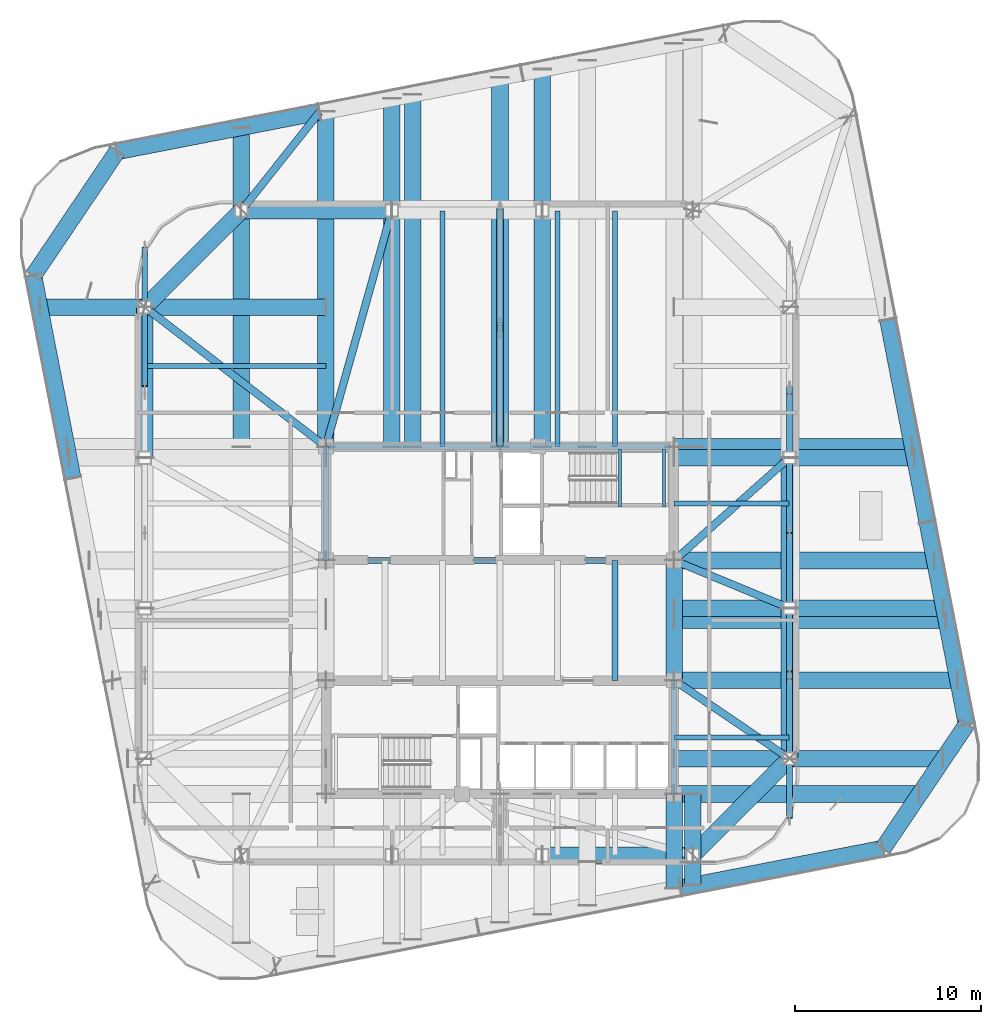
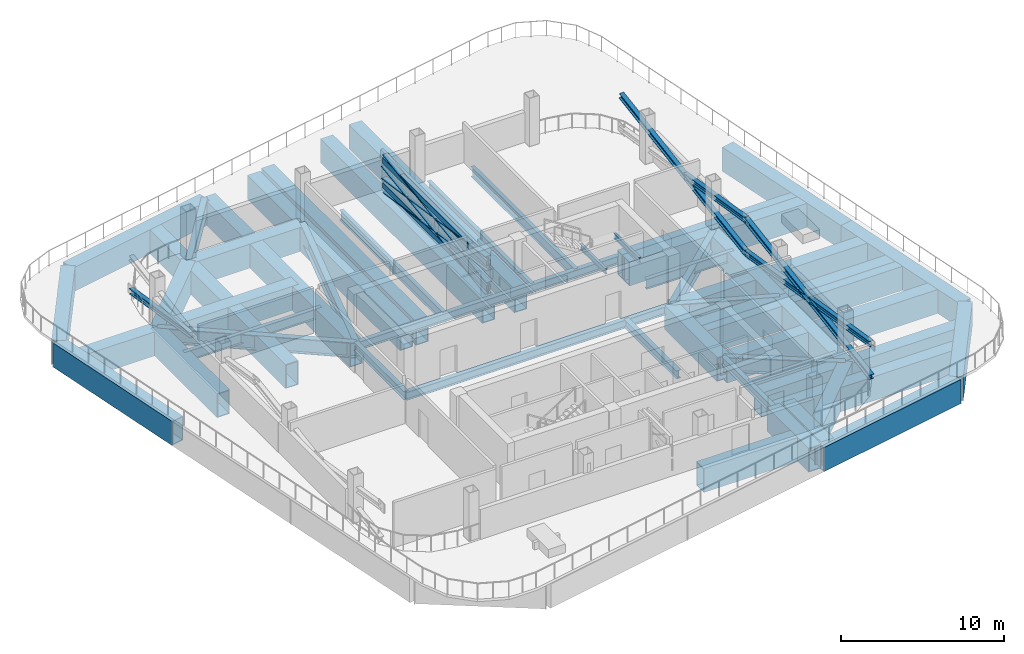
# One storey, part 2 of 14: 51 beams, 11 members.
"""IFC4 building model written with IfcOpenShell, lengths in metres."""

from ifc_helpers import new_model, si_unit, direction, frame, origin, origin_2d, place, context, subcontext, project, spatial, hollow_rectangle, i_section, extrude, material, material_profile, profile_set, type_object, element, save


model = new_model("IFC4")

# Units and contexts
model_context = context("Model", 3, precision=1e-05, world=origin(), true_north=direction((0.0, 1.0)))
body_context = subcontext(model_context, "Body", "Model", "MODEL_VIEW")
ifc_project = project(units=[si_unit("LENGTHUNIT", "METRE"), si_unit("AREAUNIT", "SQUARE_METRE"), si_unit("VOLUMEUNIT", "CUBIC_METRE"), si_unit("PLANEANGLEUNIT", "RADIAN"), si_unit("MASSUNIT", "GRAM", prefix="KILO")], contexts=[model_context])

# Site, building, storey
site_placement = place(None, origin())
site = spatial("IfcSite", under=ifc_project, at=site_placement, CompositionType="ELEMENT")
building_placement = place(site_placement, origin())
building = spatial("IfcBuilding", under=site, at=building_placement, Name="Qhalaya Broadcast Tower", CompositionType="ELEMENT")
storey_placement = place(building_placement, frame((0.0, 0.0, 144.60009765625)))
storey = spatial("IfcBuildingStorey", under=building, at=storey_placement, Name="L42", CompositionType="ELEMENT", Elevation=144.60009765625)

# Members
ifc_material_1 = material(Name="Structural Steel ASTM A572 Grade 50", Category="steel")
ifc_material_profile_1 = material_profile(ifc_material_1, i_section(OverallWidth=0.31298828125, OverallDepth=0.3798828125, WebThickness=0.01806640625, FlangeThickness=0.028076171875, at=origin_2d()), Name="W12X120")
ifc_profile_set_1 = profile_set([ifc_material_profile_1], Name="Structural Steel ASTM A572 Grade 50")
member_type_1 = type_object("IfcMemberType", Name="Belt-Truss Diagonal Brace OB2", PredefinedType="BRACE", material=ifc_profile_set_1)
member_1_placement = place(storey_placement, frame((-19.1201171875, 13.2021484375, 1.65478515625), z_axis=(0.0, 0.987200117678, -0.159486449757), x_axis=(-1.0, 0.0, 0.0)))
element("IfcMember", 1, at=member_1_placement, inside=storey, type_object=member_type_1, Name="L42 Belt Truss Split Brace W2B2", PredefinedType="BRACE", context=body_context, shape_type="SweptSolid", body=[
    extrude(i_section(OverallWidth=0.31298828125, OverallDepth=0.3798828125, WebThickness=0.01806640625, FlangeThickness=0.028076171875, at=origin_2d()), origin(), (0.0, 0.0, 1.0), 7.554443359375),
])
member_2_placement = place(storey_placement, frame((15.580078125, -10.0400390625, 0.449951171875), z_axis=(0.0, 0.987199046505, 0.159493080039), x_axis=(-1.0, 0.0, 0.0)))
element("IfcMember", 2, at=member_2_placement, inside=storey, type_object=member_type_1, Name="L42 Belt Truss Continuous Brace E1A", PredefinedType="BRACE", context=body_context, shape_type="SweptSolid", body=[
    extrude(i_section(OverallWidth=0.31298828125, OverallDepth=0.3798828125, WebThickness=0.01806640625, FlangeThickness=0.028076171875, at=origin_2d()), origin(), (0.0, 0.0, 1.0), 15.549072265625),
])
for number, where, z_axis, x_axis, name in (
    (3, (15.580078125, -10.0400390625, 2.929931640625), (0.0, 0.987200117678, -0.159486449757), (-1.0, 0.0, 0.0), "L42 Belt Truss Split Brace E1B1"),
    (4, (15.580078125, -2.147705078125, 1.65478515625), (0.0, 0.987200117678, -0.159486449757), (-1.0, 0.0, 0.0), "L42 Belt Truss Split Brace E1B2"),
):
    element("IfcMember", number, at=place(storey_placement, frame(where, z_axis=z_axis, x_axis=x_axis)), inside=storey, type_object=member_type_1, Name=name, PredefinedType="BRACE", context=body_context, shape_type="SweptSolid", body=[
        extrude(i_section(OverallWidth=0.31298828125, OverallDepth=0.3798828125, WebThickness=0.01806640625, FlangeThickness=0.028076171875, at=origin_2d()), origin(), (0.0, 0.0, 1.0), 7.554443359375),
    ])
member_3_placement = place(storey_placement, frame((15.580078125, 5.31005859375, 0.449951171875), z_axis=(0.0, 0.987198647087, 0.159495552258), x_axis=(-1.0, 0.0, 0.0)))
element("IfcMember", 5, at=member_3_placement, inside=storey, type_object=member_type_1, Name="L42 Belt Truss Continuous Brace E2A", PredefinedType="BRACE", context=body_context, shape_type="SweptSolid", body=[
    extrude(i_section(OverallWidth=0.31298828125, OverallDepth=0.3798828125, WebThickness=0.01806640625, FlangeThickness=0.028076171875, at=origin_2d()), origin(), (0.0, 0.0, 1.0), 15.548828125),
])
member_4_placement = place(storey_placement, frame((15.580078125, 5.31005859375, 2.929931640625), z_axis=(0.0, 0.987200117678, -0.159486449757), x_axis=(-1.0, 0.0, 0.0)))
element("IfcMember", 6, at=member_4_placement, inside=storey, type_object=member_type_1, Name="L42 Belt Truss Split Brace E2B1", PredefinedType="BRACE", context=body_context, shape_type="SweptSolid", body=[
    extrude(i_section(OverallWidth=0.31298828125, OverallDepth=0.3798828125, WebThickness=0.01806640625, FlangeThickness=0.028076171875, at=origin_2d()), origin(), (0.0, 0.0, 1.0), 7.554443359375),
])

# Beams
ifc_material_profile_2 = material_profile(ifc_material_1, hollow_rectangle(XDim=0.89990234375, YDim=1.800048828125, WallThickness=0.06005859375, at=origin_2d()), Name="BOX 900x1800x60")
ifc_profile_set_2 = profile_set([ifc_material_profile_2], Name="Structural Steel ASTM A572 Grade 50")
beam_type_1 = type_object("IfcBeamType", Name="Block Cantilever Transfer Box Girder TG1", PredefinedType="USERDEFINED", material=ifc_profile_set_2)
beam_1_placement = place(storey_placement, frame((2.280029296875, -12.0400390625, -1.18017578125), z_axis=(1.0, 0.0, 0.0), x_axis=(0.0, 1.0, 0.0)))
element("IfcBeam", 7, at=beam_1_placement, inside=storey, type_object=beam_type_1, Name="L42 TG1 L42-SPR-03", ObjectType="GIRDER", PredefinedType="USERDEFINED", context=body_context, shape_type="SweptSolid", body=[
    extrude(hollow_rectangle(XDim=0.89990234375, YDim=1.800048828125, WallThickness=0.06005859375, at=origin_2d()), origin(), (0.0, 0.0, 1.0), 8.099853515625),
])
beam_2_placement = place(storey_placement, frame((10.3798828125, -12.0400390625, -1.18017578125), z_axis=(0.707123380132, 0.707090181851, 0.0), x_axis=(-0.707090181851, 0.707123380132, 0.0)))
element("IfcBeam", 8, at=beam_2_placement, inside=storey, type_object=beam_type_1, Name="L42 TG1 L42-SPR-04", ObjectType="GIRDER", PredefinedType="USERDEFINED", context=body_context, shape_type="SweptSolid", body=[
    extrude(hollow_rectangle(XDim=0.89990234375, YDim=1.800048828125, WallThickness=0.06005859375, at=origin_2d()), origin(), (0.0, 0.0, 1.0), 7.35400390625),
])
for number, where, z_axis, x_axis, name in (
    (9, (15.580078125, -6.840087890625, -1.18017578125), (0.0, 1.0, 0.0), (-1.0, 0.0, 0.0), "L42 TG1 L42-SPR-05"),
    (10, (15.580078125, 1.260009765625, -1.18017578125), (0.0, 1.0, 0.0), (-1.0, 0.0, 0.0), "L42 TG1 L42-SPR-06"),
):
    element("IfcBeam", number, at=place(storey_placement, frame(where, z_axis=z_axis, x_axis=x_axis)), inside=storey, type_object=beam_type_1, Name=name, ObjectType="GIRDER", PredefinedType="USERDEFINED", context=body_context, shape_type="SweptSolid", body=[
        extrude(hollow_rectangle(XDim=0.89990234375, YDim=1.800048828125, WallThickness=0.06005859375, at=origin_2d()), origin(), (0.0, 0.0, 1.0), 8.10009765625),
    ])
beam_3_placement = place(storey_placement, frame((-5.820068359375, 22.659912109375, -1.18017578125), z_axis=(-1.0, 0.0, 0.0), x_axis=(0.0, -1.0, 0.0)))
element("IfcBeam", 11, at=beam_3_placement, inside=storey, type_object=beam_type_1, Name="L42 TG1 L42-SPR-11", ObjectType="GIRDER", PredefinedType="USERDEFINED", context=body_context, shape_type="SweptSolid", body=[
    extrude(hollow_rectangle(XDim=0.89990234375, YDim=1.800048828125, WallThickness=0.06005859375, at=origin_2d()), origin(), (0.0, 0.0, 1.0), 8.099853515625),
])
beam_4_placement = place(storey_placement, frame((-13.919921875, 22.659912109375, -1.18017578125), z_axis=(-0.707123380132, -0.707090181851, 0.0), x_axis=(0.707090181851, -0.707123380132, 0.0)))
element("IfcBeam", 12, at=beam_4_placement, inside=storey, type_object=beam_type_1, Name="L42 TG1 L42-SPR-12", ObjectType="GIRDER", PredefinedType="USERDEFINED", context=body_context, shape_type="SweptSolid", body=[
    extrude(hollow_rectangle(XDim=0.89990234375, YDim=1.800048828125, WallThickness=0.06005859375, at=origin_2d()), origin(), (0.0, 0.0, 1.0), 7.35400390625),
])
beam_5_placement = place(storey_placement, frame((-19.1201171875, 17.4599609375, -1.18017578125), z_axis=(0.0, -1.0, 0.0), x_axis=(1.0, 0.0, 0.0)))
element("IfcBeam", 13, at=beam_5_placement, inside=storey, type_object=beam_type_1, Name="L42 TG1 L42-SPR-13", ObjectType="GIRDER", PredefinedType="USERDEFINED", context=body_context, shape_type="SweptSolid", body=[
    extrude(hollow_rectangle(XDim=0.89990234375, YDim=1.800048828125, WallThickness=0.06005859375, at=origin_2d()), origin(), (0.0, 0.0, 1.0), 8.099853515625),
])
beam_6_placement = place(storey_placement, frame((9.712646484375, -13.80029296875, -1.18017578125), z_axis=(0.981627979352, 0.190804900759, 0.0), x_axis=(-0.190804900759, 0.981627979352, 0.0)))
element("IfcBeam", 14, at=beam_6_placement, inside=storey, type_object=beam_type_1, Name="L42 TG1 L42-TGL-03", ObjectType="GIRDER", PredefinedType="USERDEFINED", context=body_context, shape_type="SweptSolid", body=[
    extrude(hollow_rectangle(XDim=0.89990234375, YDim=1.800048828125, WallThickness=0.06005859375, at=origin_2d()), origin(), (0.0, 0.0, 1.0), 11.099853515625),
])
beam_7_placement = place(storey_placement, frame((20.608642578125, -11.682373046875, -1.18017578125), z_axis=(0.559186208288, 0.829042088473, 0.0), x_axis=(-0.829042088473, 0.559186208288, 0.0)))
element("IfcBeam", 15, at=beam_7_placement, inside=storey, type_object=beam_type_1, Name="L42 TG1 L42-TGL-04", ObjectType="GIRDER", PredefinedType="USERDEFINED", context=body_context, shape_type="SweptSolid", body=[
    extrude(hollow_rectangle(XDim=0.89990234375, YDim=1.800048828125, WallThickness=0.06005859375, at=origin_2d()), origin(), (0.0, 0.0, 1.0), 8.06103515625),
])
for number, where, z_axis, x_axis, name in (
    (16, (25.1162109375, -4.99951171875, -1.18017578125), (-0.190804900759, 0.981627979352, 0.0), (-0.981627979352, -0.190804900759, 0.0), "L42 TG1 L42-TGL-05"),
    (17, (22.998291015625, 5.896484375, -1.18017578125), (-0.190804900759, 0.981627979352, 0.0), (-0.981627979352, -0.190804900759, 0.0), "L42 TG1 L42-TGL-06"),
    (18, (-9.712646484375, 27.96044921875, -1.18017578125), (-0.981623859527, -0.190826094673, 0.0), (0.190826094673, -0.981623859527, 0.0), "L42 TG1 L42-TGL-11"),
):
    element("IfcBeam", number, at=place(storey_placement, frame(where, z_axis=z_axis, x_axis=x_axis)), inside=storey, type_object=beam_type_1, Name=name, ObjectType="GIRDER", PredefinedType="USERDEFINED", context=body_context, shape_type="SweptSolid", body=[
        extrude(hollow_rectangle(XDim=0.89990234375, YDim=1.800048828125, WallThickness=0.06005859375, at=origin_2d()), origin(), (0.0, 0.0, 1.0), 11.099853515625),
    ])
beam_8_placement = place(storey_placement, frame((-20.608642578125, 25.84228515625, -1.18017578125), z_axis=(-0.559186208288, -0.829042088473, 0.0), x_axis=(0.829042088473, -0.559186208288, 0.0)))
element("IfcBeam", 19, at=beam_8_placement, inside=storey, type_object=beam_type_1, Name="L42 TG1 L42-TGL-12", ObjectType="GIRDER", PredefinedType="USERDEFINED", context=body_context, shape_type="SweptSolid", body=[
    extrude(hollow_rectangle(XDim=0.89990234375, YDim=1.800048828125, WallThickness=0.06005859375, at=origin_2d()), origin(), (0.0, 0.0, 1.0), 8.06103515625),
])
beam_9_placement = place(storey_placement, frame((-25.1162109375, 19.159423828125, -1.18017578125), z_axis=(0.190804900759, -0.981627979352, 0.0), x_axis=(0.981627979352, 0.190804900759, 0.0)))
element("IfcBeam", 20, at=beam_9_placement, inside=storey, type_object=beam_type_1, Name="L42 TG1 L42-TGL-13", ObjectType="GIRDER", PredefinedType="USERDEFINED", context=body_context, shape_type="SweptSolid", body=[
    extrude(hollow_rectangle(XDim=0.89990234375, YDim=1.800048828125, WallThickness=0.06005859375, at=origin_2d()), origin(), (0.0, 0.0, 1.0), 11.099853515625),
])
beam_10_placement = place(storey_placement, frame((-9.375, 9.949951171875, -1.18017578125), z_axis=(0.0, 1.0, 0.0), x_axis=(-1.0, 0.0, 0.0)))
element("IfcBeam", 21, at=beam_10_placement, inside=storey, type_object=beam_type_1, Name="L42 TG1 L42-TGINW-1", ObjectType="GIRDER", PredefinedType="USERDEFINED", context=body_context, shape_type="SweptSolid", body=[
    extrude(hollow_rectangle(XDim=0.89990234375, YDim=1.800048828125, WallThickness=0.06005859375, at=origin_2d()), origin(), (0.0, 0.0, 1.0), 18.035400390625),
])
beam_11_placement = place(storey_placement, frame((0.0, 9.949951171875, -1.18017578125), z_axis=(0.0, 1.0, 0.0), x_axis=(-1.0, 0.0, 0.0)))
element("IfcBeam", 22, at=beam_11_placement, inside=storey, type_object=beam_type_1, Name="L42 TG1 L42-TGIMN-1", ObjectType="GIRDER", PredefinedType="USERDEFINED", context=body_context, shape_type="SweptSolid", body=[
    extrude(hollow_rectangle(XDim=0.89990234375, YDim=1.800048828125, WallThickness=0.06005859375, at=origin_2d()), origin(), (0.0, 0.0, 1.0), 19.857666015625),
])
beam_12_placement = place(storey_placement, frame((-4.699951171875, 9.949951171875, -1.18017578125), z_axis=(0.0, 1.0, 0.0), x_axis=(-1.0, 0.0, 0.0)))
element("IfcBeam", 23, at=beam_12_placement, inside=storey, type_object=beam_type_1, Name="L42 TG1 L42-TGIMNW-1", ObjectType="GIRDER", PredefinedType="USERDEFINED", context=body_context, shape_type="SweptSolid", body=[
    extrude(hollow_rectangle(XDim=0.89990234375, YDim=1.800048828125, WallThickness=0.06005859375, at=origin_2d()), origin(), (0.0, 0.0, 1.0), 18.944091796875),
])
beam_13_placement = place(storey_placement, frame((9.375, 0.60009765625, -1.18017578125), z_axis=(1.0, 0.0, 0.0), x_axis=(0.0, 1.0, 0.0)))
element("IfcBeam", 24, at=beam_13_placement, inside=storey, type_object=beam_type_1, Name="L42 TG1 L42-TGIYE-1", ObjectType="GIRDER", PredefinedType="USERDEFINED", context=body_context, shape_type="SweptSolid", body=[
    extrude(hollow_rectangle(XDim=0.89990234375, YDim=1.800048828125, WallThickness=0.06005859375, at=origin_2d()), origin(), (0.0, 0.0, 1.0), 14.6123046875),
])
beam_14_placement = place(storey_placement, frame((9.375, -13.8251953125, -1.18017578125), z_axis=(0.0, 1.0, 0.0), x_axis=(-1.0, 0.0, 0.0)))
element("IfcBeam", 25, at=beam_14_placement, inside=storey, type_object=beam_type_1, Name="L42 TG1 L42-TGISE-1", ObjectType="GIRDER", PredefinedType="USERDEFINED", context=body_context, shape_type="SweptSolid", body=[
    extrude(hollow_rectangle(XDim=0.89990234375, YDim=1.800048828125, WallThickness=0.06005859375, at=origin_2d()), origin(), (0.0, 0.0, 1.0), 5.0751953125),
])
beam_15_placement = place(storey_placement, frame((9.375, -2.625, -1.18017578125), z_axis=(0.0, 1.0, 0.0), x_axis=(-1.0, 0.0, 0.0)))
element("IfcBeam", 26, at=beam_15_placement, inside=storey, type_object=beam_type_1, Name="L42 TG1 L42-TGIME-1", ObjectType="GIRDER", PredefinedType="USERDEFINED", context=body_context, shape_type="SweptSolid", body=[
    extrude(hollow_rectangle(XDim=0.89990234375, YDim=1.800048828125, WallThickness=0.06005859375, at=origin_2d()), origin(), (0.0, 0.0, 1.0), 6.449951171875),
])
beam_16_placement = place(storey_placement, frame((9.375, -8.75, -1.18017578125), z_axis=(1.0, 0.0, 0.0), x_axis=(0.0, 1.0, 0.0)))
element("IfcBeam", 27, at=beam_16_placement, inside=storey, type_object=beam_type_1, Name="L42 TG1 L42-TGIY1E-1", ObjectType="GIRDER", PredefinedType="USERDEFINED", context=body_context, shape_type="SweptSolid", body=[
    extrude(hollow_rectangle(XDim=0.89990234375, YDim=1.800048828125, WallThickness=0.06005859375, at=origin_2d()), origin(), (0.0, 0.0, 1.0), 13.163330078125),
])
beam_17_placement = place(storey_placement, frame((9.375, -2.625, -1.18017578125), z_axis=(1.0, 0.0, 0.0), x_axis=(0.0, 1.0, 0.0)))
element("IfcBeam", 28, at=beam_17_placement, inside=storey, type_object=beam_type_1, Name="L42 TG1 L42-TGIY2E-1", ObjectType="GIRDER", PredefinedType="USERDEFINED", context=body_context, shape_type="SweptSolid", body=[
    extrude(hollow_rectangle(XDim=0.89990234375, YDim=1.800048828125, WallThickness=0.06005859375, at=origin_2d()), origin(), (0.0, 0.0, 1.0), 15.239013671875),
])
beam_18_placement = place(storey_placement, frame((9.375, 3.824951171875, -1.18017578125), z_axis=(1.0, 0.0, 0.0), x_axis=(0.0, 1.0, 0.0)))
element("IfcBeam", 29, at=beam_18_placement, inside=storey, type_object=beam_type_1, Name="L42 TG1 L42-TGIY3E-1", ObjectType="GIRDER", PredefinedType="USERDEFINED", context=body_context, shape_type="SweptSolid", body=[
    extrude(hollow_rectangle(XDim=0.89990234375, YDim=1.800048828125, WallThickness=0.06005859375, at=origin_2d()), origin(), (0.0, 0.0, 1.0), 13.9853515625),
])
beam_19_placement = place(storey_placement, frame((9.375, 9.949951171875, -1.18017578125), z_axis=(1.0, 0.0, 0.0), x_axis=(0.0, 1.0, 0.0)))
element("IfcBeam", 30, at=beam_19_placement, inside=storey, type_object=beam_type_1, Name="L42 TG1 L42-TGIY4E-1", ObjectType="GIRDER", PredefinedType="USERDEFINED", context=body_context, shape_type="SweptSolid", body=[
    extrude(hollow_rectangle(XDim=0.89990234375, YDim=1.800048828125, WallThickness=0.06005859375, at=origin_2d()), origin(), (0.0, 0.0, 1.0), 12.794677734375),
])
beam_20_placement = place(storey_placement, frame((10.3798828125, -13.6298828125, -1.18017578125), z_axis=(0.0, 1.0, 0.0), x_axis=(-1.0, 0.0, 0.0)))
element("IfcBeam", 31, at=beam_20_placement, inside=storey, type_object=beam_type_1, Name="L42 Spanning Transfer Box Girder 04", ObjectType="GIRDER", PredefinedType="USERDEFINED", context=body_context, shape_type="SweptSolid", body=[
    extrude(hollow_rectangle(XDim=0.89990234375, YDim=1.800048828125, WallThickness=0.06005859375, at=origin_2d()), origin(), (0.0, 0.0, 1.0), 4.8798828125),
])
beam_21_placement = place(storey_placement, frame((9.375, -6.840087890625, -1.18017578125), z_axis=(1.0, 0.0, 0.0), x_axis=(0.0, 1.0, 0.0)))
element("IfcBeam", 32, at=beam_21_placement, inside=storey, type_object=beam_type_1, Name="L42 Spanning Transfer Box Girder 05", ObjectType="GIRDER", PredefinedType="USERDEFINED", context=body_context, shape_type="SweptSolid", body=[
    extrude(hollow_rectangle(XDim=0.89990234375, YDim=1.800048828125, WallThickness=0.06005859375, at=origin_2d()), origin(), (0.0, 0.0, 1.0), 14.45166015625),
])
beam_22_placement = place(storey_placement, frame((9.375, 1.260009765625, -1.18017578125), z_axis=(1.0, 0.0, 0.0), x_axis=(0.0, 1.0, 0.0)))
element("IfcBeam", 33, at=beam_22_placement, inside=storey, type_object=beam_type_1, Name="L42 Spanning Transfer Box Girder 06", ObjectType="GIRDER", PredefinedType="USERDEFINED", context=body_context, shape_type="SweptSolid", body=[
    extrude(hollow_rectangle(XDim=0.89990234375, YDim=1.800048828125, WallThickness=0.06005859375, at=origin_2d()), origin(), (0.0, 0.0, 1.0), 14.48388671875),
])
beam_23_placement = place(storey_placement, frame((9.375, 9.360107421875, -1.18017578125), z_axis=(1.0, 0.0, 0.0), x_axis=(0.0, 1.0, 0.0)))
element("IfcBeam", 34, at=beam_23_placement, inside=storey, type_object=beam_type_1, Name="L42 Spanning Transfer Box Girder 07", ObjectType="GIRDER", PredefinedType="USERDEFINED", context=body_context, shape_type="SweptSolid", body=[
    extrude(hollow_rectangle(XDim=0.89990234375, YDim=1.800048828125, WallThickness=0.06005859375, at=origin_2d()), origin(), (0.0, 0.0, 1.0), 12.909423828125),
])
beam_24_placement = place(storey_placement, frame((2.280029296875, 9.949951171875, -1.18017578125), z_axis=(0.0, 1.0, 0.0), x_axis=(-1.0, 0.0, 0.0)))
element("IfcBeam", 35, at=beam_24_placement, inside=storey, type_object=beam_type_1, Name="L42 Spanning Transfer Box Girder 10", ObjectType="GIRDER", PredefinedType="USERDEFINED", context=body_context, shape_type="SweptSolid", body=[
    extrude(hollow_rectangle(XDim=0.89990234375, YDim=1.800048828125, WallThickness=0.06005859375, at=origin_2d()), origin(), (0.0, 0.0, 1.0), 20.30078125),
])
beam_25_placement = place(storey_placement, frame((-5.820068359375, 9.949951171875, -1.18017578125), z_axis=(0.0, 1.0, 0.0), x_axis=(-1.0, 0.0, 0.0)))
element("IfcBeam", 36, at=beam_25_placement, inside=storey, type_object=beam_type_1, Name="L42 Spanning Transfer Box Girder 11", ObjectType="GIRDER", PredefinedType="USERDEFINED", context=body_context, shape_type="SweptSolid", body=[
    extrude(hollow_rectangle(XDim=0.89990234375, YDim=1.800048828125, WallThickness=0.06005859375, at=origin_2d()), origin(), (0.0, 0.0, 1.0), 18.726318359375),
])
beam_26_placement = place(storey_placement, frame((-13.919921875, 9.949951171875, -1.18017578125), z_axis=(0.0, 1.0, 0.0), x_axis=(-1.0, 0.0, 0.0)))
element("IfcBeam", 37, at=beam_26_placement, inside=storey, type_object=beam_type_1, Name="L42 Spanning Transfer Box Girder 12", ObjectType="GIRDER", PredefinedType="USERDEFINED", context=body_context, shape_type="SweptSolid", body=[
    extrude(hollow_rectangle(XDim=0.89990234375, YDim=1.800048828125, WallThickness=0.06005859375, at=origin_2d()), origin(), (0.0, 0.0, 1.0), 17.15185546875),
])
beam_27_placement = place(storey_placement, frame((-24.7451171875, 17.4599609375, -1.18017578125), z_axis=(1.0, 0.0, 0.0), x_axis=(0.0, 1.0, 0.0)))
element("IfcBeam", 38, at=beam_27_placement, inside=storey, type_object=beam_type_1, Name="L42 Spanning Transfer Box Girder 13", ObjectType="GIRDER", PredefinedType="USERDEFINED", context=body_context, shape_type="SweptSolid", body=[
    extrude(hollow_rectangle(XDim=0.89990234375, YDim=1.800048828125, WallThickness=0.06005859375, at=origin_2d()), origin(), (0.0, 0.0, 1.0), 15.3701171875),
])
ifc_material_2 = material(Name="Structural Steel ASTM A992 Grade 50", Category="steel")
ifc_material_profile_3 = material_profile(ifc_material_2, i_section(OverallWidth=0.323974609375, OverallDepth=0.612060546875, WebThickness=0.0126953125, FlangeThickness=0.01904296875, at=origin_2d()), Name="W24X104")
ifc_profile_set_3 = profile_set([ifc_material_profile_3], Name="Structural Steel ASTM A992 Grade 50")
beam_type_2 = type_object("IfcBeamType", Name="Core Frame Tie Beam B04", PredefinedType="BEAM", material=ifc_profile_set_3)
beam_28_placement = place(storey_placement, frame((-9.375, 3.824951171875, -0.586181640625), z_axis=(1.0, 0.0, 0.0), x_axis=(0.0, 1.0, 0.0)))
element("IfcBeam", 39, at=beam_28_placement, inside=storey, type_object=beam_type_2, Name="L42 B04 L42-CCN1", PredefinedType="BEAM", context=body_context, shape_type="SweptSolid", body=[
    extrude(i_section(OverallWidth=0.323974609375, OverallDepth=0.612060546875, WebThickness=0.0126953125, FlangeThickness=0.01904296875, at=origin_2d()), origin(), (0.0, 0.0, 1.0), 18.75),
])
beam_29_placement = place(storey_placement, frame((-9.375, 3.824951171875, -0.586181640625), z_axis=(0.0, 1.0, 0.0), x_axis=(-1.0, 0.0, 0.0)))
element("IfcBeam", 40, at=beam_29_placement, inside=storey, type_object=beam_type_2, Name="L42 B04 L42-CCN2", PredefinedType="BEAM", context=body_context, shape_type="SweptSolid", body=[
    extrude(i_section(OverallWidth=0.323974609375, OverallDepth=0.612060546875, WebThickness=0.0126953125, FlangeThickness=0.01904296875, at=origin_2d()), origin(), (0.0, 0.0, 1.0), 6.125),
])
beam_30_placement = place(storey_placement, frame((-9.375, 9.949951171875, -0.586181640625), z_axis=(1.0, 0.0, 0.0), x_axis=(0.0, 1.0, 0.0)))
element("IfcBeam", 41, at=beam_30_placement, inside=storey, type_object=beam_type_2, Name="L42 B04 L42-CCN3", PredefinedType="BEAM", context=body_context, shape_type="SweptSolid", body=[
    extrude(i_section(OverallWidth=0.323974609375, OverallDepth=0.612060546875, WebThickness=0.0126953125, FlangeThickness=0.01904296875, at=origin_2d()), origin(), (0.0, 0.0, 1.0), 18.4951171875),
])
beam_31_placement = place(storey_placement, frame((9.375, -8.75, -0.586181640625), z_axis=(0.0, 1.0, 0.0), x_axis=(-1.0, 0.0, 0.0)))
element("IfcBeam", 42, at=beam_31_placement, inside=storey, type_object=beam_type_2, Name="L42 B04 L42-CCS2", PredefinedType="BEAM", context=body_context, shape_type="SweptSolid", body=[
    extrude(i_section(OverallWidth=0.323974609375, OverallDepth=0.612060546875, WebThickness=0.0126953125, FlangeThickness=0.01904296875, at=origin_2d()), origin(), (0.0, 0.0, 1.0), 6.125),
])
beam_32_placement = place(storey_placement, frame((6.199951171875, -2.625, -0.586181640625), z_axis=(0.0, 1.0, 0.0), x_axis=(-1.0, 0.0, 0.0)))
element("IfcBeam", 43, at=beam_32_placement, inside=storey, type_object=beam_type_2, Name="L42 B04 L42-JC5-1", PredefinedType="BEAM", context=body_context, shape_type="SweptSolid", body=[
    extrude(i_section(OverallWidth=0.323974609375, OverallDepth=0.612060546875, WebThickness=0.0126953125, FlangeThickness=0.01904296875, at=origin_2d()), origin(), (0.0, 0.0, 1.0), 6.449951171875),
])

# Members
ifc_material_profile_4 = material_profile(ifc_material_1, i_section(OverallWidth=0.40087890625, OverallDepth=1.0009765625, WebThickness=0.01904296875, FlangeThickness=0.0361328125, at=origin_2d()), Name="W40X249")
ifc_profile_set_4 = profile_set([ifc_material_profile_4], Name="Structural Steel ASTM A572 Grade 50")
member_type_2 = type_object("IfcMemberType", Name="Core-to-Perimeter Outrigger Brace OB1", PredefinedType="BRACE", material=ifc_profile_set_4)
member_5_placement = place(storey_placement, frame((0.0, 9.949951171875, 0.449951171875), z_axis=(0.0, 0.989654248604, 0.143472883223), x_axis=(-1.0, 0.0, 0.0)))
element("IfcMember", 44, at=member_5_placement, inside=storey, type_object=member_type_2, Name="L42 Outrigger Continuous Diagonal NCA", PredefinedType="BRACE", context=body_context, shape_type="SweptSolid", body=[
    extrude(i_section(OverallWidth=0.40087890625, OverallDepth=1.0009765625, WebThickness=0.01904296875, FlangeThickness=0.0361328125, at=origin_2d()), origin(), (0.0, 0.0, 1.0), 12.893310546875),
])
for number, where, z_axis, x_axis, name in (
    (45, (0.0, 9.949951171875, 2.2998046875), (0.0, 0.989657119208, -0.143453080833), (-1.0, 0.0, 0.0), "L42 Outrigger Split Diagonal NCB1"),
    (46, (0.0, 16.5673828125, 1.340576171875), (0.0, 0.98965153419, -0.143491605593), (-1.0, 0.0, 0.0), "L42 Outrigger Split Diagonal NCB2"),
):
    element("IfcMember", number, at=place(storey_placement, frame(where, z_axis=z_axis, x_axis=x_axis)), inside=storey, type_object=member_type_2, Name=name, PredefinedType="BRACE", context=body_context, shape_type="SweptSolid", body=[
        extrude(i_section(OverallWidth=0.40087890625, OverallDepth=1.0009765625, WebThickness=0.01904296875, FlangeThickness=0.0361328125, at=origin_2d()), origin(), (0.0, 0.0, 1.0), 6.206787109375),
    ])
ifc_material_profile_5 = material_profile(ifc_material_1, hollow_rectangle(XDim=0.300048828125, YDim=0.39990234375, WallThickness=0.02001953125, at=origin_2d()), Name="HSS 300x400x20")
ifc_profile_set_5 = profile_set([ifc_material_profile_5], Name="Structural Steel ASTM A572 Grade 50")
member_type_3 = type_object("IfcMemberType", Name="Outrigger & Belt-Truss Chord CH1", PredefinedType="CHORD", material=ifc_profile_set_5)
for number, where, z_axis, x_axis, name in (
    (47, (0.0, 9.949951171875, 0.449951171875), (0.0, 1.0, 0.0), (-1.0, 0.0, 0.0), "L42 Outrigger Bottom Chord NC"),
    (48, (0.0, 9.949951171875, 2.2998046875), (0.0, 1.0, 0.0), (-1.0, 0.0, 0.0), "L42 Outrigger Top Chord NC"),
):
    element("IfcMember", number, at=place(storey_placement, frame(where, z_axis=z_axis, x_axis=x_axis)), inside=storey, type_object=member_type_3, Name=name, PredefinedType="CHORD", context=body_context, shape_type="SweptSolid", body=[
        extrude(hollow_rectangle(XDim=0.300048828125, YDim=0.39990234375, WallThickness=0.02001953125, at=origin_2d()), origin(), (0.0, 0.0, 1.0), 12.760009765625),
    ])

# Beams
ifc_material_profile_6 = material_profile(ifc_material_2, i_section(OverallWidth=0.26708984375, OverallDepth=0.761962890625, WebThickness=0.014404296875, FlangeThickness=0.021484375, at=origin_2d()), Name="W30X116")
ifc_profile_set_6 = profile_set([ifc_material_profile_6], Name="Structural Steel ASTM A992 Grade 50")
beam_type_3 = type_object("IfcBeamType", Name="Plant & Server Floor Beam B02", PredefinedType="BEAM", material=ifc_profile_set_6)
for number, where, z_axis, x_axis, name in (
    (49, (-3.10009765625, 9.949951171875, -0.6611328125), (0.0, 1.0, 0.0), (-1.0, 0.0, 0.0), "L42 B02 L42-JNN2-1"),
    (50, (3.10009765625, 9.949951171875, -0.6611328125), (0.0, 1.0, 0.0), (-1.0, 0.0, 0.0), "L42 B02 L42-JNN4-1"),
    (51, (6.199951171875, 9.949951171875, -0.6611328125), (0.0, 1.0, 0.0), (-1.0, 0.0, 0.0), "L42 B02 L42-JNN5-1"),
):
    element("IfcBeam", number, at=place(storey_placement, frame(where, z_axis=z_axis, x_axis=x_axis)), inside=storey, type_object=beam_type_3, Name=name, PredefinedType="BEAM", context=body_context, shape_type="SweptSolid", body=[
        extrude(i_section(OverallWidth=0.26708984375, OverallDepth=0.761962890625, WebThickness=0.014404296875, FlangeThickness=0.021484375, at=origin_2d()), origin(), (0.0, 0.0, 1.0), 12.68994140625),
    ])
for number, where, z_axis, x_axis, name in (
    (52, (9.375, -5.699951171875, -0.6611328125), (1.0, 0.0, 0.0), (0.0, 1.0, 0.0), "L42 B02 L42-JWE3E-1"),
    (53, (9.375, 6.89990234375, -0.6611328125), (1.0, 0.0, 0.0), (0.0, 1.0, 0.0), "L42 B02 L42-JWE5E-1"),
):
    element("IfcBeam", number, at=place(storey_placement, frame(where, z_axis=z_axis, x_axis=x_axis)), inside=storey, type_object=beam_type_3, Name=name, PredefinedType="BEAM", context=body_context, shape_type="SweptSolid", body=[
        extrude(i_section(OverallWidth=0.26708984375, OverallDepth=0.761962890625, WebThickness=0.014404296875, FlangeThickness=0.021484375, at=origin_2d()), origin(), (0.0, 0.0, 1.0), 6.18505859375),
    ])
beam_33_placement = place(storey_placement, frame((-19.10009765625, 14.300048828125, -0.6611328125), z_axis=(1.0, 0.0, 0.0), x_axis=(0.0, 1.0, 0.0)))
element("IfcBeam", 54, at=beam_33_placement, inside=storey, type_object=beam_type_3, Name="L42 B02 L42-JWE6W-1", PredefinedType="BEAM", context=body_context, shape_type="SweptSolid", body=[
    extrude(i_section(OverallWidth=0.26708984375, OverallDepth=0.761962890625, WebThickness=0.014404296875, FlangeThickness=0.021484375, at=origin_2d()), origin(), (0.0, 0.0, 1.0), 9.72509765625),
])
ifc_material_profile_7 = material_profile(ifc_material_2, i_section(OverallWidth=0.404052734375, OverallDepth=1.117919921875, WebThickness=0.026123046875, FlangeThickness=0.044921875, at=origin_2d()), Name="W44X335")
ifc_profile_set_7 = profile_set([ifc_material_profile_7], Name="Structural Steel ASTM A992 Grade 50")
beam_type_4 = type_object("IfcBeamType", Name="Podium Long-Span Primary Girder PG1", PredefinedType="USERDEFINED", material=ifc_profile_set_7)
beam_34_placement = place(storey_placement, frame((9.375, -2.625, -0.839111328125), z_axis=(0.827196996484, -0.561912029599, 0.0), x_axis=(0.561912029599, 0.827196996484, 0.0)))
element("IfcBeam", 55, at=beam_34_placement, inside=storey, type_object=beam_type_4, Name="L42 Column-to-Column Moment Tie Girder 05-2", ObjectType="GIRDER", PredefinedType="USERDEFINED", context=body_context, shape_type="SweptSolid", body=[
    extrude(i_section(OverallWidth=0.404052734375, OverallDepth=1.117919921875, WebThickness=0.026123046875, FlangeThickness=0.044921875, at=origin_2d()), origin(), (0.0, 0.0, 1.0), 7.501220703125),
])
beam_35_placement = place(storey_placement, frame((9.375, 3.824951171875, -0.839111328125), z_axis=(0.92415763727, -0.382011336841, 0.0), x_axis=(0.382011336841, 0.92415763727, 0.0)))
element("IfcBeam", 56, at=beam_35_placement, inside=storey, type_object=beam_type_4, Name="L42 Column-to-Column Moment Tie Girder 06-1", ObjectType="GIRDER", PredefinedType="USERDEFINED", context=body_context, shape_type="SweptSolid", body=[
    extrude(i_section(OverallWidth=0.404052734375, OverallDepth=1.117919921875, WebThickness=0.026123046875, FlangeThickness=0.044921875, at=origin_2d()), origin(), (0.0, 0.0, 1.0), 6.71435546875),
])
beam_36_placement = place(storey_placement, frame((9.375, 3.824951171875, -0.839111328125), z_axis=(0.746241822351, 0.665674952642, 0.0), x_axis=(-0.665674952642, 0.746241822351, 0.0)))
element("IfcBeam", 57, at=beam_36_placement, inside=storey, type_object=beam_type_4, Name="L42 Column-to-Column Moment Tie Girder 07-1", ObjectType="GIRDER", PredefinedType="USERDEFINED", context=body_context, shape_type="SweptSolid", body=[
    extrude(i_section(OverallWidth=0.404052734375, OverallDepth=1.117919921875, WebThickness=0.026123046875, FlangeThickness=0.044921875, at=origin_2d()), origin(), (0.0, 0.0, 1.0), 8.315185546875),
])
beam_37_placement = place(storey_placement, frame((-9.375, 9.949951171875, -0.839111328125), z_axis=(0.269358884874, 0.963039869964, 0.0), x_axis=(-0.963039869964, 0.269358884874, 0.0)))
element("IfcBeam", 58, at=beam_37_placement, inside=storey, type_object=beam_type_4, Name="L42 Column-to-Column Moment Tie Girder 11-1", ObjectType="GIRDER", PredefinedType="USERDEFINED", context=body_context, shape_type="SweptSolid", body=[
    extrude(i_section(OverallWidth=0.404052734375, OverallDepth=1.117919921875, WebThickness=0.026123046875, FlangeThickness=0.044921875, at=origin_2d()), origin(), (0.0, 0.0, 1.0), 13.19775390625),
])
beam_38_placement = place(storey_placement, frame((-9.712646484375, 27.96044921875, -0.839111328125), z_axis=(-0.621703181175, -0.783252931381, 0.0), x_axis=(0.783252931381, -0.621703181175, 0.0)))
element("IfcBeam", 59, at=beam_38_placement, inside=storey, type_object=beam_type_4, Name="L42 Column-to-Column Moment Tie Girder 12-1", ObjectType="GIRDER", PredefinedType="USERDEFINED", context=body_context, shape_type="SweptSolid", body=[
    extrude(i_section(OverallWidth=0.404052734375, OverallDepth=1.117919921875, WebThickness=0.026123046875, FlangeThickness=0.044921875, at=origin_2d()), origin(), (0.0, 0.0, 1.0), 6.767333984375),
])
beam_39_placement = place(storey_placement, frame((-9.375, 9.949951171875, -0.839111328125), z_axis=(-0.792082953774, 0.610413461796, 0.0), x_axis=(-0.610413461796, -0.792082953774, 0.0)))
element("IfcBeam", 60, at=beam_39_placement, inside=storey, type_object=beam_type_4, Name="L42 Column-to-Column Moment Tie Girder 13-1", ObjectType="GIRDER", PredefinedType="USERDEFINED", context=body_context, shape_type="SweptSolid", body=[
    extrude(i_section(OverallWidth=0.404052734375, OverallDepth=1.117919921875, WebThickness=0.026123046875, FlangeThickness=0.044921875, at=origin_2d()), origin(), (0.0, 0.0, 1.0), 12.30322265625),
])
ifc_material_profile_8 = material_profile(ifc_material_2, i_section(OverallWidth=0.177978515625, OverallDepth=0.406005859375, WebThickness=0.0078125, FlangeThickness=0.0126953125, at=origin_2d()), Name="W16X40")
ifc_profile_set_8 = profile_set([ifc_material_profile_8], Name="Structural Steel ASTM A992 Grade 50")
beam_type_5 = type_object("IfcBeamType", Name="Upper Perimeter Spandrel Beam SP2", PredefinedType="SPANDREL", material=ifc_profile_set_8)
for number, where, z_axis, x_axis, name in (
    (61, (6.455078125, 6.699951171875, 1.39697265625), (0.0, 1.0, 0.0), (-1.0, 0.0, 0.0), "L42 ST-1 Half-Landing Bearer Beam 1"),
    (62, (8.830078125, 6.699951171875, 1.39697265625), (0.0, 1.0, 0.0), (-1.0, 0.0, 0.0), "L42 ST-1 Half-Landing Bearer Beam 2"),
):
    element("IfcBeam", number, at=place(storey_placement, frame(where, z_axis=z_axis, x_axis=x_axis)), inside=storey, type_object=beam_type_5, Name=name, PredefinedType="SPANDREL", context=body_context, shape_type="SweptSolid", body=[
        extrude(i_section(OverallWidth=0.177978515625, OverallDepth=0.406005859375, WebThickness=0.0078125, FlangeThickness=0.0126953125, at=origin_2d()), origin(), (0.0, 0.0, 1.0), 3.1201171875),
    ])

save(model, "model.ifc")
